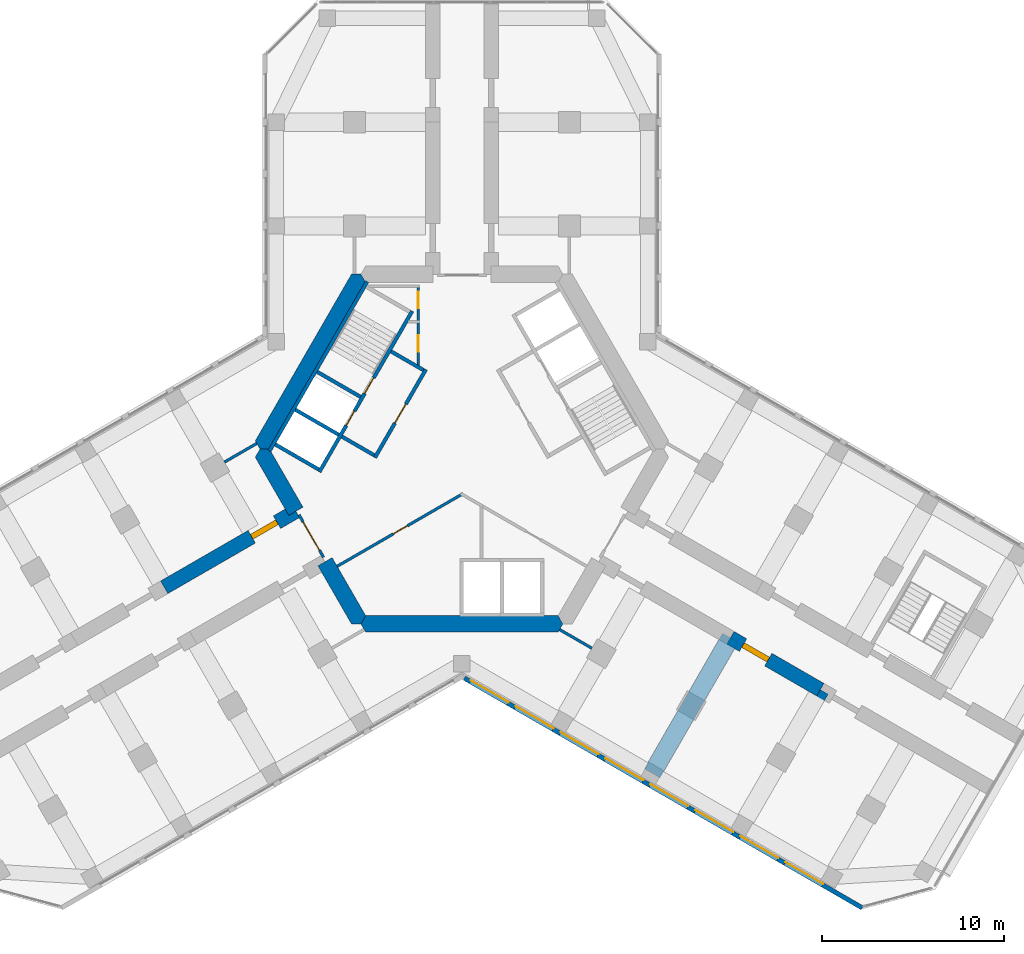
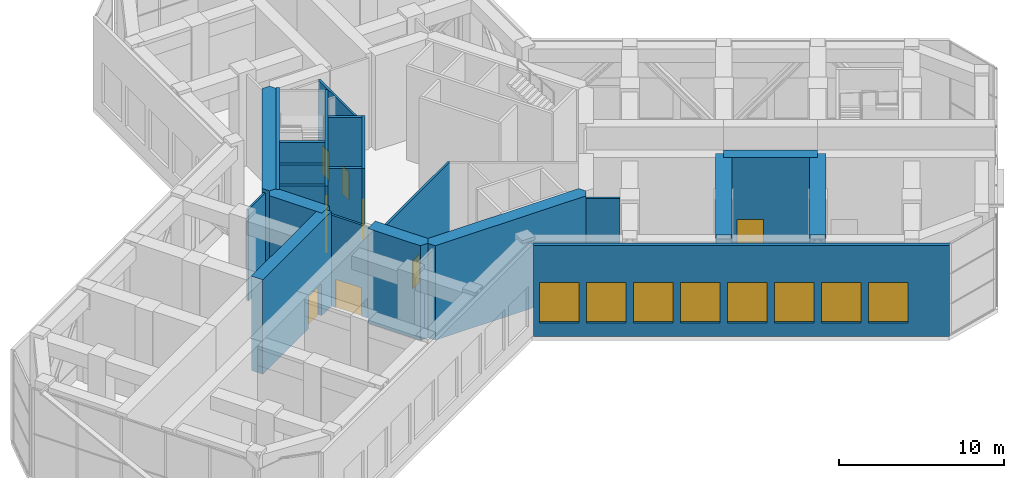
# One storey, part 11 of 15: 22 walls, 9 doors, 8 windows, 17 openings.
"""IFC4 building model written with IfcOpenShell, lengths in metres."""

from ifc_helpers import new_model, si_unit, direction, frame, frame_2d, origin, place, context, subcontext, project, spatial, polyline, rectangle, outline, extrude, material, layer, layer_set, type_object, element, fill, save


model = new_model("IFC4")

# Units and contexts
model_context = context("Model", 3, precision=1e-05, world=origin(), true_north=direction((0.0, 1.0)))
body_context = subcontext(model_context, "Body", "Model", "MODEL_VIEW")
ifc_project = project(units=[si_unit("LENGTHUNIT", "METRE"), si_unit("AREAUNIT", "SQUARE_METRE"), si_unit("VOLUMEUNIT", "CUBIC_METRE"), si_unit("PLANEANGLEUNIT", "RADIAN"), si_unit("MASSUNIT", "GRAM", prefix="KILO")], contexts=[model_context])

# Site, building, storey
site_placement = place(None, origin())
site = spatial("IfcSite", under=ifc_project, at=site_placement, CompositionType="ELEMENT")
building_placement = place(site_placement, origin())
building = spatial("IfcBuilding", under=site, at=building_placement, Name="Kosmar Iwan School Tower", CompositionType="ELEMENT")
storey_placement = place(building_placement, frame((0.0, 0.0, 186.800048828125)))
storey = spatial("IfcBuildingStorey", under=building, at=storey_placement, Name="L47", CompositionType="ELEMENT", Elevation=186.800048828125)

# Wall, openings, doors
ifc_material_1 = material(Name="Gypsum board on steel studs, fire-rated", Category="steel")
ifc_layer_1 = layer(ifc_material_1, 0.14990234375)
ifc_layer_set_1 = layer_set([ifc_layer_1], Name="Core room partition 150")
wall_type_1 = type_object("IfcWallType", Name="Core room partition 150", PredefinedType="PARTITIONING", material=ifc_layer_set_1)
wall_1_placement = place(storey_placement, frame((-2.39990234375, 9.014892578125, 0.0), z_axis=(0.0, 0.0, 1.0), x_axis=(0.0, -1.0, 0.0)))
wall_1 = element("IfcWall", 1, at=wall_1_placement, inside=storey, type_object=wall_type_1, Name="Core room partition L47-CW1", PredefinedType="PARTITIONING", context=body_context, shape_type="SweptSolid", body=[
    extrude(rectangle(XDim=4.484130859375, YDim=0.14990234375, at=frame_2d((2.2421875, 0.0))), origin(), (0.0, 0.0, 1.0), 6.75),
])
opening_1_placement = place(wall_1_placement, frame((0.375, 0.0, 0.0)))
opening_1 = element("IfcOpeningElement", 2, at=opening_1_placement, cuts=wall_1, Name="Opening D14", PredefinedType="OPENING", context=body_context, shape_type="SweptSolid", body=[
    extrude(rectangle(XDim=0.89990234375, YDim=2.10009765625, at=frame_2d((0.449951171875, 1.050048828125))), frame((0.0, 0.0869140625, 0.0), z_axis=(0.0, -1.0, 0.0), x_axis=(1.0, 0.0, 0.0)), (0.0, 0.0, 1.0), 0.173828125),
])
opening_2_placement = place(wall_1_placement, frame((2.77490234375, 0.0, 0.0)))
opening_2 = element("IfcOpeningElement", 3, at=opening_2_placement, cuts=wall_1, Name="Opening D14", PredefinedType="OPENING", context=body_context, shape_type="SweptSolid", body=[
    extrude(rectangle(XDim=0.89990234375, YDim=2.10009765625, at=frame_2d((0.449951171875, 1.050048828125))), frame((0.0, 0.0869140625, 0.0), z_axis=(0.0, -1.0, 0.0), x_axis=(1.0, 0.0, 0.0)), (0.0, 0.0, 1.0), 0.173828125),
])
ifc_material_2 = material(Name="Timber fire door in steel frame", Category="steel")
door_type_1 = type_object("IfcDoorType", Name="Core room door 900x2100", OperationType="SINGLE_SWING_LEFT", PredefinedType="DOOR", material=ifc_material_2)
door_1_placement = place(opening_1_placement, origin())
door_1 = element("IfcDoor", 4, at=door_1_placement, inside=storey, type_object=door_type_1, Name="Electrical riser and switch room door L47 1", OperationType="SINGLE_SWING_LEFT", OverallHeight=2.10009765625, OverallWidth=0.89990234375, PredefinedType="DOOR", context=body_context, shape_type="SweptSolid", body=[
    extrude(rectangle(XDim=0.89990234375, YDim=2.10009765625, at=frame_2d((0.449951171875, 1.050048828125))), frame((0.0, 0.02490234375, 0.0), z_axis=(0.0, -1.0, 0.0), x_axis=(1.0, 0.0, 0.0)), (0.0, 0.0, 1.0), 0.050048828125),
])
fill(opening_1, door_1)
door_2_placement = place(opening_2_placement, origin())
door_2 = element("IfcDoor", 5, at=door_2_placement, inside=storey, type_object=door_type_1, Name="Plumbing and wet riser door L47 2", OperationType="SINGLE_SWING_RIGHT", OverallHeight=2.10009765625, OverallWidth=0.89990234375, PredefinedType="DOOR", context=body_context, shape_type="SweptSolid", body=[
    extrude(rectangle(XDim=0.89990234375, YDim=2.10009765625, at=frame_2d((0.449951171875, 1.050048828125))), frame((0.0, 0.02490234375, 0.0), z_axis=(0.0, -1.0, 0.0), x_axis=(1.0, 0.0, 0.0)), (0.0, 0.0, 1.0), 0.050048828125),
])
fill(opening_2, door_2)

# Wall, opening, door
wall_2_placement = place(storey_placement, frame((-6.853515625, -6.439453125, 0.0), z_axis=(0.0, 0.0, 1.0), x_axis=(0.866024767646, 0.500001101823, 0.0)))
wall_2 = element("IfcWall", 6, at=wall_2_placement, inside=storey, type_object=wall_type_1, Name="Core room partition L47-CW7", PredefinedType="PARTITIONING", context=body_context, shape_type="SweptSolid", body=[
    extrude(rectangle(XDim=7.98876953125, YDim=0.14990234375, at=frame_2d((3.994384765625, 0.0))), origin(), (0.0, 0.0, 1.0), 6.75),
])
opening_3_placement = place(wall_2_placement, frame((3.56396484375, 0.0, 0.0)))
opening_3 = element("IfcOpeningElement", 7, at=opening_3_placement, cuts=wall_2, Name="Opening D14", PredefinedType="OPENING", context=body_context, shape_type="SweptSolid", body=[
    extrude(rectangle(XDim=0.89990234375, YDim=2.10009765625, at=frame_2d((0.449951171875, 1.050048828125))), frame((0.0, 0.0869140625, 0.0), z_axis=(0.0, -1.0, 0.0), x_axis=(1.0, 0.0, 0.0)), (0.0, 0.0, 1.0), 0.173828125),
])
door_3_placement = place(opening_3_placement, origin())
door_3 = element("IfcDoor", 8, at=door_3_placement, inside=storey, type_object=door_type_1, Name="Maintenance workshop door L47 4", OperationType="SINGLE_SWING_RIGHT", OverallHeight=2.10009765625, OverallWidth=0.89990234375, PredefinedType="DOOR", context=body_context, shape_type="SweptSolid", body=[
    extrude(rectangle(XDim=0.89990234375, YDim=2.10009765625, at=frame_2d((0.449951171875, 1.050048828125))), frame((0.0, 0.02490234375, 0.0), z_axis=(0.0, -1.0, 0.0), x_axis=(1.0, 0.0, 0.0)), (0.0, 0.0, 1.0), 0.050048828125),
])
fill(opening_3, door_3)

# Walls
ifc_material_3 = material(Name="Concrete C50/60", Category="concrete")
ifc_layer_2 = layer(ifc_material_3, 0.89990234375)
ifc_layer_set_2 = layer_set([ifc_layer_2], Name="Core wall 900")
wall_type_2 = type_object("IfcWallType", Name="Core wall 900", PredefinedType="SHEAR", material=ifc_layer_set_2)
wall_3_placement = place(storey_placement, origin())
element("IfcWall", 9, at=wall_3_placement, inside=storey, type_object=wall_type_2, Name="Core wall F150", PredefinedType="SHEAR", context=body_context, shape_type="SweptSolid", body=[
    extrude(outline(polyline([(-11.085205078125, 0.0), (-10.5654296875, 0.0), (-5.28271484375, 9.14990234375), (-5.54248046875, 9.60009765625), (-6.062255859375, 9.60009765625), (-11.344970703125, 0.449951171875), (-11.085205078125, 0.0)])), origin(), (0.0, 0.0, 1.0), 7.0),
])
wall_4_placement = place(storey_placement, origin())
element("IfcWall", 10, at=wall_4_placement, inside=storey, type_object=wall_type_2, Name="Core wall F210a", PredefinedType="SHEAR", context=body_context, shape_type="SweptSolid", body=[
    extrude(outline(polyline([(-9.503662109375, -3.639404296875), (-8.72412109375, -3.189453125), (-10.5654296875, 0.0), (-11.085205078125, 0.0), (-11.344970703125, -0.449951171875), (-9.503662109375, -3.639404296875)])), origin(), (0.0, 0.0, 1.0), 7.0),
])
wall_5_placement = place(storey_placement, origin())
element("IfcWall", 11, at=wall_5_placement, inside=storey, type_object=wall_type_2, Name="Core wall F210b", PredefinedType="SHEAR", context=body_context, shape_type="SweptSolid", body=[
    extrude(outline(polyline([(-6.062255859375, -9.60009765625), (-5.54248046875, -9.60009765625), (-5.28271484375, -9.14990234375), (-7.1240234375, -5.960693359375), (-7.903564453125, -6.41064453125), (-6.062255859375, -9.60009765625)])), origin(), (0.0, 0.0, 1.0), 7.0),
])
wall_6_placement = place(storey_placement, origin())
element("IfcWall", 12, at=wall_6_placement, inside=storey, type_object=wall_type_2, Name="Core wall F270", PredefinedType="SHEAR", context=body_context, shape_type="SweptSolid", body=[
    extrude(outline(polyline([(-5.28271484375, -10.050048828125), (5.28271484375, -10.050048828125), (5.54248046875, -9.60009765625), (5.28271484375, -9.14990234375), (-5.28271484375, -9.14990234375), (-5.54248046875, -9.60009765625), (-5.28271484375, -10.050048828125)])), origin(), (0.0, 0.0, 1.0), 7.0),
])

# Wall, opening, door
ifc_material_4 = material(Name="Concrete C50/60", Category="concrete")
ifc_layer_3 = layer(ifc_material_4, 0.800048828125)
ifc_layer_set_3 = layer_set([ifc_layer_3], Name="Corridor buttress wall 800")
wall_type_3 = type_object("IfcWallType", Name="Corridor buttress wall 800", PredefinedType="SHEAR", material=ifc_layer_set_3)
wall_7_placement = place(storey_placement, frame((-9.11376953125, -3.414306640625, 0.0), z_axis=(0.0, 0.0, 1.0), x_axis=(-0.866026859388, -0.499997478812, 0.0)))
wall_7 = element("IfcWall", 13, at=wall_7_placement, inside=storey, type_object=wall_type_3, Name="Corridor wall BR", PredefinedType="SHEAR", context=body_context, shape_type="SweptSolid", body=[
    extrude(rectangle(XDim=8.35009765625, YDim=0.800048828125, at=frame_2d((4.175048828125, 0.0))), origin(), (0.0, 0.0, 1.0), 7.0),
])
opening_4_placement = place(wall_7_placement, frame((1.199951171875, 0.0, 0.0)))
opening_4 = element("IfcOpeningElement", 14, at=opening_4_placement, cuts=wall_7, Name="Opening D5", PredefinedType="OPENING", context=body_context, shape_type="SweptSolid", body=[
    extrude(rectangle(XDim=1.60009765625, YDim=2.39990234375, at=frame_2d((0.800048828125, 1.199951171875))), frame((0.0, 0.412109375, 0.0), z_axis=(0.0, -1.0, 0.0), x_axis=(1.0, 0.0, 0.0)), (0.0, 0.0, 1.0), 0.823974609375),
])
ifc_material_5 = material(Name="Steel fire door", Category="steel")
door_type_2 = type_object("IfcDoorType", Name="Plant room door pair 1600x2400", OperationType="DOUBLE_DOOR_SINGLE_SWING", PredefinedType="DOOR", material=ifc_material_5)
door_4_placement = place(opening_4_placement, origin())
door_4 = element("IfcDoor", 15, at=door_4_placement, inside=storey, type_object=door_type_2, Name="Refuge area door L47-BR1", OperationType="DOUBLE_DOOR_SINGLE_SWING", OverallHeight=2.39990234375, OverallWidth=1.60009765625, PredefinedType="DOOR", context=body_context, shape_type="SweptSolid", body=[
    extrude(rectangle(XDim=1.60009765625, YDim=2.39990234375, at=frame_2d((0.800048828125, 1.199951171875))), frame((0.0, 0.14990234375, 0.0), z_axis=(0.0, -1.0, 0.0), x_axis=(1.0, 0.0, 0.0)), (0.0, 0.0, 1.0), 0.300048828125),
])
fill(opening_4, door_4)

wall_8_placement = place(storey_placement, frame((14.7451171875, -10.360595703125, 0.0), z_axis=(0.0, 0.0, 1.0), x_axis=(0.866015111908, -0.50001782563, 0.0)))
wall_8 = element("IfcWall", 16, at=wall_8_placement, inside=storey, type_object=wall_type_3, Name="Corridor wall CR bay 2", PredefinedType="SHEAR", context=body_context, shape_type="SweptSolid", body=[
    extrude(rectangle(XDim=5.699951171875, YDim=0.800048828125, at=frame_2d((2.85009765625, 0.0))), origin(), (0.0, 0.0, 1.0), 7.0),
])
opening_5_placement = place(wall_8_placement, frame((0.800048828125, 0.0, 0.0)))
opening_5 = element("IfcOpeningElement", 17, at=opening_5_placement, cuts=wall_8, Name="Opening D5", PredefinedType="OPENING", context=body_context, shape_type="SweptSolid", body=[
    extrude(rectangle(XDim=1.60009765625, YDim=2.39990234375, at=frame_2d((0.800048828125, 1.199951171875))), frame((0.0, 0.412109375, 0.0), z_axis=(0.0, -1.0, 0.0), x_axis=(1.0, 0.0, 0.0)), (0.0, 0.0, 1.0), 0.823974609375),
])
door_5_placement = place(opening_5_placement, origin())
door_5 = element("IfcDoor", 18, at=door_5_placement, inside=storey, type_object=door_type_2, Name="Air handling plant room door L47-CR2", OperationType="DOUBLE_DOOR_SINGLE_SWING", OverallHeight=2.39990234375, OverallWidth=1.60009765625, PredefinedType="DOOR", context=body_context, shape_type="SweptSolid", body=[
    extrude(rectangle(XDim=1.60009765625, YDim=2.39990234375, at=frame_2d((0.800048828125, 1.199951171875))), frame((0.0, 0.14990234375, 0.0), z_axis=(0.0, -1.0, 0.0), x_axis=(1.0, 0.0, 0.0)), (0.0, 0.0, 1.0), 0.300048828125),
])
fill(opening_5, door_5)

ifc_material_6 = material(Name="Steel framed glazed screen", Category="steel")
ifc_layer_4 = layer(ifc_material_6, 0.14990234375)
ifc_layer_set_4 = layer_set([ifc_layer_4], Name="Corridor screen wall 150")
wall_type_4 = type_object("IfcWallType", Name="Corridor screen wall 150", PredefinedType="PARTITIONING", material=ifc_layer_set_4)
wall_9_placement = place(storey_placement, frame((-8.945556640625, -3.60595703125, 0.0), z_axis=(0.0, 0.0, 1.0), x_axis=(0.500048589285, -0.86599734893, 0.0)))
wall_9 = element("IfcWall", 19, at=wall_9_placement, inside=storey, type_object=wall_type_4, Name="Corridor screen B L47", PredefinedType="PARTITIONING", context=body_context, shape_type="SweptSolid", body=[
    extrude(rectangle(XDim=2.699951171875, YDim=0.14990234375, at=frame_2d((1.35009765625, 0.0))), origin(), (0.0, 0.0, 1.0), 6.75),
])
opening_6_placement = place(wall_9_placement, frame((0.449951171875, 0.0, 0.0)))
opening_6 = element("IfcOpeningElement", 20, at=opening_6_placement, cuts=wall_9, Name="Opening D9", PredefinedType="OPENING", context=body_context, shape_type="SweptSolid", body=[
    extrude(rectangle(XDim=1.800048828125, YDim=2.10009765625, at=frame_2d((0.89990234375, 1.050048828125))), frame((0.0, 0.0869140625, 0.0), z_axis=(0.0, -1.0, 0.0), x_axis=(1.0, 0.0, 0.0)), (0.0, 0.0, 1.0), 0.173828125),
])
ifc_material_7 = material(Name="Steel framed glazed smoke door", Category="steel")
door_type_3 = type_object("IfcDoorType", Name="Corridor smoke door pair 1800x2100", OperationType="DOUBLE_DOOR_DOUBLE_SWING", PredefinedType="DOOR", material=ifc_material_7)
door_6_placement = place(opening_6_placement, origin())
door_6 = element("IfcDoor", 21, at=door_6_placement, inside=storey, type_object=door_type_3, Name="Corridor doors B L47", OperationType="DOUBLE_DOOR_DOUBLE_SWING", OverallHeight=2.10009765625, OverallWidth=1.800048828125, PredefinedType="DOOR", context=body_context, shape_type="SweptSolid", body=[
    extrude(rectangle(XDim=1.800048828125, YDim=2.10009765625, at=frame_2d((0.89990234375, 1.050048828125))), frame((0.0, 0.02490234375, 0.0), z_axis=(0.0, -1.0, 0.0), x_axis=(1.0, 0.0, 0.0)), (0.0, 0.0, 1.0), 0.050048828125),
])
fill(opening_6, door_6)

# Wall, openings, windows
ifc_material_8 = material(Name="Black aluminium rainscreen on insulated framing", Category="aluminium")
ifc_layer_5 = layer(ifc_material_8, 0.25)
ifc_layer_set_5 = layer_set([ifc_layer_5], Name="External wall rainscreen 250")
wall_type_5 = type_object("IfcWallType", Name="External wall rainscreen 250", PredefinedType="SOLIDWALL", material=ifc_layer_set_5)
wall_10_placement = place(storey_placement, frame((0.137939453125, -12.5791015625, 0.0), z_axis=(0.0, 0.0, 1.0), x_axis=(0.866023775649, -0.500002820003, 0.0)))
wall_10 = element("IfcWall", 22, at=wall_10_placement, inside=storey, type_object=wall_type_5, Name="External wall CR L47", PredefinedType="SOLIDWALL", context=body_context, shape_type="SweptSolid", body=[
    extrude(rectangle(XDim=25.226318359375, YDim=0.25, at=frame_2d((12.61328125, 0.0))), origin(), (0.0, 0.0, 1.0), 6.75),
])
opening_7_placement = place(wall_10_placement, frame((0.365966796875, 0.0, 1.0)))
opening_7 = element("IfcOpeningElement", 23, at=opening_7_placement, cuts=wall_10, Name="Opening LV1", PredefinedType="OPENING", context=body_context, shape_type="SweptSolid", body=[
    extrude(rectangle(XDim=2.39990234375, YDim=3.0, at=frame_2d((1.199951171875, 1.5))), frame((0.0, 0.136962890625, 0.0), z_axis=(0.0, -1.0, 0.0), x_axis=(1.0, 0.0, 0.0)), (0.0, 0.0, 1.0), 0.27392578125),
])
opening_8_placement = place(wall_10_placement, frame((3.216064453125, 0.0, 1.0)))
opening_8 = element("IfcOpeningElement", 24, at=opening_8_placement, cuts=wall_10, Name="Opening LV1", PredefinedType="OPENING", context=body_context, shape_type="SweptSolid", body=[
    extrude(rectangle(XDim=2.39990234375, YDim=3.0, at=frame_2d((1.199951171875, 1.5))), frame((0.0, 0.136962890625, 0.0), z_axis=(0.0, -1.0, 0.0), x_axis=(1.0, 0.0, 0.0)), (0.0, 0.0, 1.0), 0.27392578125),
])
opening_9_placement = place(wall_10_placement, frame((6.06591796875, 0.0, 1.0)))
opening_9 = element("IfcOpeningElement", 25, at=opening_9_placement, cuts=wall_10, Name="Opening LV1", PredefinedType="OPENING", context=body_context, shape_type="SweptSolid", body=[
    extrude(rectangle(XDim=2.39990234375, YDim=3.0, at=frame_2d((1.199951171875, 1.5))), frame((0.0, 0.136962890625, 0.0), z_axis=(0.0, -1.0, 0.0), x_axis=(1.0, 0.0, 0.0)), (0.0, 0.0, 1.0), 0.27392578125),
])
opening_10_placement = place(wall_10_placement, frame((8.916015625, 0.0, 1.0)))
opening_10 = element("IfcOpeningElement", 26, at=opening_10_placement, cuts=wall_10, Name="Opening LV1", PredefinedType="OPENING", context=body_context, shape_type="SweptSolid", body=[
    extrude(rectangle(XDim=2.39990234375, YDim=3.0, at=frame_2d((1.199951171875, 1.5))), frame((0.0, 0.136962890625, 0.0), z_axis=(0.0, -1.0, 0.0), x_axis=(1.0, 0.0, 0.0)), (0.0, 0.0, 1.0), 0.27392578125),
])
opening_11_placement = place(wall_10_placement, frame((11.76611328125, 0.0, 1.0)))
opening_11 = element("IfcOpeningElement", 27, at=opening_11_placement, cuts=wall_10, Name="Opening LV1", PredefinedType="OPENING", context=body_context, shape_type="SweptSolid", body=[
    extrude(rectangle(XDim=2.39990234375, YDim=3.0, at=frame_2d((1.199951171875, 1.5))), frame((0.0, 0.136962890625, 0.0), z_axis=(0.0, -1.0, 0.0), x_axis=(1.0, 0.0, 0.0)), (0.0, 0.0, 1.0), 0.27392578125),
])
opening_12_placement = place(wall_10_placement, frame((14.615966796875, 0.0, 1.0)))
opening_12 = element("IfcOpeningElement", 28, at=opening_12_placement, cuts=wall_10, Name="Opening LV1", PredefinedType="OPENING", context=body_context, shape_type="SweptSolid", body=[
    extrude(rectangle(XDim=2.39990234375, YDim=3.0, at=frame_2d((1.199951171875, 1.5))), frame((0.0, 0.136962890625, 0.0), z_axis=(0.0, -1.0, 0.0), x_axis=(1.0, 0.0, 0.0)), (0.0, 0.0, 1.0), 0.27392578125),
])
opening_13_placement = place(wall_10_placement, frame((17.466064453125, 0.0, 1.0)))
opening_13 = element("IfcOpeningElement", 29, at=opening_13_placement, cuts=wall_10, Name="Opening LV1", PredefinedType="OPENING", context=body_context, shape_type="SweptSolid", body=[
    extrude(rectangle(XDim=2.39990234375, YDim=3.0, at=frame_2d((1.199951171875, 1.5))), frame((0.0, 0.136962890625, 0.0), z_axis=(0.0, -1.0, 0.0), x_axis=(1.0, 0.0, 0.0)), (0.0, 0.0, 1.0), 0.27392578125),
])
opening_14_placement = place(wall_10_placement, frame((20.31591796875, 0.0, 1.0)))
opening_14 = element("IfcOpeningElement", 30, at=opening_14_placement, cuts=wall_10, Name="Opening LV1", PredefinedType="OPENING", context=body_context, shape_type="SweptSolid", body=[
    extrude(rectangle(XDim=2.39990234375, YDim=3.0, at=frame_2d((1.199951171875, 1.5))), frame((0.0, 0.136962890625, 0.0), z_axis=(0.0, -1.0, 0.0), x_axis=(1.0, 0.0, 0.0)), (0.0, 0.0, 1.0), 0.27392578125),
])
ifc_material_9 = material(Name="Black aluminium louvre", Category="aluminium")
window_type = type_object("IfcWindowType", Name="Plant louvre 2400x3000", PartitioningType="SINGLE_PANEL", PredefinedType="USERDEFINED", material=ifc_material_9)
window_1_placement = place(opening_7_placement, origin())
window_1 = element("IfcWindow", 31, at=window_1_placement, inside=storey, type_object=window_type, Name="Window CR L47 -1", ObjectType="LOUVRE", OverallHeight=3.0, OverallWidth=2.39990234375, PartitioningType="SINGLE_PANEL", PredefinedType="USERDEFINED", context=body_context, shape_type="SweptSolid", body=[
    extrude(rectangle(XDim=2.39990234375, YDim=3.0, at=frame_2d((1.199951171875, 1.5))), frame((0.0, 0.070068359375, 0.0), z_axis=(0.0, -1.0, 0.0), x_axis=(1.0, 0.0, 0.0)), (0.0, 0.0, 1.0), 0.02001953125),
])
fill(opening_7, window_1)
window_2_placement = place(opening_8_placement, origin())
window_2 = element("IfcWindow", 32, at=window_2_placement, inside=storey, type_object=window_type, Name="Window CR L47 0", ObjectType="LOUVRE", OverallHeight=3.0, OverallWidth=2.39990234375, PartitioningType="SINGLE_PANEL", PredefinedType="USERDEFINED", context=body_context, shape_type="SweptSolid", body=[
    extrude(rectangle(XDim=2.39990234375, YDim=3.0, at=frame_2d((1.199951171875, 1.5))), frame((0.0, 0.070068359375, 0.0), z_axis=(0.0, -1.0, 0.0), x_axis=(1.0, 0.0, 0.0)), (0.0, 0.0, 1.0), 0.02001953125),
])
fill(opening_8, window_2)
window_3_placement = place(opening_9_placement, origin())
window_3 = element("IfcWindow", 33, at=window_3_placement, inside=storey, type_object=window_type, Name="Window CR L47 1", ObjectType="LOUVRE", OverallHeight=3.0, OverallWidth=2.39990234375, PartitioningType="SINGLE_PANEL", PredefinedType="USERDEFINED", context=body_context, shape_type="SweptSolid", body=[
    extrude(rectangle(XDim=2.39990234375, YDim=3.0, at=frame_2d((1.199951171875, 1.5))), frame((0.0, 0.070068359375, 0.0), z_axis=(0.0, -1.0, 0.0), x_axis=(1.0, 0.0, 0.0)), (0.0, 0.0, 1.0), 0.02001953125),
])
fill(opening_9, window_3)
window_4_placement = place(opening_10_placement, origin())
window_4 = element("IfcWindow", 34, at=window_4_placement, inside=storey, type_object=window_type, Name="Window CR L47 2", ObjectType="LOUVRE", OverallHeight=3.0, OverallWidth=2.39990234375, PartitioningType="SINGLE_PANEL", PredefinedType="USERDEFINED", context=body_context, shape_type="SweptSolid", body=[
    extrude(rectangle(XDim=2.39990234375, YDim=3.0, at=frame_2d((1.199951171875, 1.5))), frame((0.0, 0.070068359375, 0.0), z_axis=(0.0, -1.0, 0.0), x_axis=(1.0, 0.0, 0.0)), (0.0, 0.0, 1.0), 0.02001953125),
])
fill(opening_10, window_4)
window_5_placement = place(opening_11_placement, origin())
window_5 = element("IfcWindow", 35, at=window_5_placement, inside=storey, type_object=window_type, Name="Window CR L47 3", ObjectType="LOUVRE", OverallHeight=3.0, OverallWidth=2.39990234375, PartitioningType="SINGLE_PANEL", PredefinedType="USERDEFINED", context=body_context, shape_type="SweptSolid", body=[
    extrude(rectangle(XDim=2.39990234375, YDim=3.0, at=frame_2d((1.199951171875, 1.5))), frame((0.0, 0.070068359375, 0.0), z_axis=(0.0, -1.0, 0.0), x_axis=(1.0, 0.0, 0.0)), (0.0, 0.0, 1.0), 0.02001953125),
])
fill(opening_11, window_5)
window_6_placement = place(opening_12_placement, origin())
window_6 = element("IfcWindow", 36, at=window_6_placement, inside=storey, type_object=window_type, Name="Window CR L47 4", ObjectType="LOUVRE", OverallHeight=3.0, OverallWidth=2.39990234375, PartitioningType="SINGLE_PANEL", PredefinedType="USERDEFINED", context=body_context, shape_type="SweptSolid", body=[
    extrude(rectangle(XDim=2.39990234375, YDim=3.0, at=frame_2d((1.199951171875, 1.5))), frame((0.0, 0.070068359375, 0.0), z_axis=(0.0, -1.0, 0.0), x_axis=(1.0, 0.0, 0.0)), (0.0, 0.0, 1.0), 0.02001953125),
])
fill(opening_12, window_6)
window_7_placement = place(opening_13_placement, origin())
window_7 = element("IfcWindow", 37, at=window_7_placement, inside=storey, type_object=window_type, Name="Window CR L47 5", ObjectType="LOUVRE", OverallHeight=3.0, OverallWidth=2.39990234375, PartitioningType="SINGLE_PANEL", PredefinedType="USERDEFINED", context=body_context, shape_type="SweptSolid", body=[
    extrude(rectangle(XDim=2.39990234375, YDim=3.0, at=frame_2d((1.199951171875, 1.5))), frame((0.0, 0.070068359375, 0.0), z_axis=(0.0, -1.0, 0.0), x_axis=(1.0, 0.0, 0.0)), (0.0, 0.0, 1.0), 0.02001953125),
])
fill(opening_13, window_7)
window_8_placement = place(opening_14_placement, origin())
window_8 = element("IfcWindow", 38, at=window_8_placement, inside=storey, type_object=window_type, Name="Window CR L47 6", ObjectType="LOUVRE", OverallHeight=3.0, OverallWidth=2.39990234375, PartitioningType="SINGLE_PANEL", PredefinedType="USERDEFINED", context=body_context, shape_type="SweptSolid", body=[
    extrude(rectangle(XDim=2.39990234375, YDim=3.0, at=frame_2d((1.199951171875, 1.5))), frame((0.0, 0.070068359375, 0.0), z_axis=(0.0, -1.0, 0.0), x_axis=(1.0, 0.0, 0.0)), (0.0, 0.0, 1.0), 0.02001953125),
])
fill(opening_14, window_8)

# Wall, opening, door
ifc_material_10 = material(Name="Concrete block masonry", Category="masonry")
ifc_layer_6 = layer(ifc_material_10, 0.199951171875)
ifc_layer_set_6 = layer_set([ifc_layer_6], Name="Fire lobby wall 200")
wall_type_6 = type_object("IfcWallType", Name="Fire lobby wall 200", PredefinedType="PARTITIONING", material=ifc_layer_set_6)
wall_11_placement = place(storey_placement, frame((-1.9775390625, 4.374755859375, 0.0), z_axis=(0.0, 0.0, 1.0), x_axis=(-0.500016814911, -0.866015695474, 0.0)))
wall_11 = element("IfcWall", 39, at=wall_11_placement, inside=storey, type_object=wall_type_6, Name="Firefighting lobby wall ST2", PredefinedType="PARTITIONING", context=body_context, shape_type="SweptSolid", body=[
    extrude(rectangle(XDim=5.599853515625, YDim=0.199951171875, at=frame_2d((2.7998046875, 0.0))), origin(), (0.0, 0.0, 1.0), 6.75),
])
opening_15_placement = place(wall_11_placement, frame((2.199951171875, 0.0, 0.0)))
opening_15 = element("IfcOpeningElement", 40, at=opening_15_placement, cuts=wall_11, Name="Opening D7", PredefinedType="OPENING", context=body_context, shape_type="SweptSolid", body=[
    extrude(rectangle(XDim=1.199951171875, YDim=2.10009765625, at=frame_2d((0.60009765625, 1.050048828125))), frame((0.0, 0.112060546875, 0.0), z_axis=(0.0, -1.0, 0.0), x_axis=(1.0, 0.0, 0.0)), (0.0, 0.0, 1.0), 0.223876953125),
])
ifc_material_11 = material(Name="Steel fire door", Category="steel")
door_type_4 = type_object("IfcDoorType", Name="Fire lobby door 1200x2100", OperationType="SINGLE_SWING_LEFT", PredefinedType="DOOR", material=ifc_material_11)
door_7_placement = place(opening_15_placement, origin())
door_7 = element("IfcDoor", 41, at=door_7_placement, inside=storey, type_object=door_type_4, Name="Firefighting lobby door ST2 L47", OperationType="SINGLE_SWING_LEFT", OverallHeight=2.10009765625, OverallWidth=1.199951171875, PredefinedType="DOOR", context=body_context, shape_type="SweptSolid", body=[
    extrude(rectangle(XDim=1.199951171875, YDim=2.10009765625, at=frame_2d((0.60009765625, 1.050048828125))), frame((0.0, 0.02490234375, 0.0), z_axis=(0.0, -1.0, 0.0), x_axis=(1.0, 0.0, 0.0)), (0.0, 0.0, 1.0), 0.050048828125),
])
fill(opening_15, door_7)

# Walls
wall_12_placement = place(storey_placement, frame((-2.114013671875, 4.33837890625, 0.0), z_axis=(0.0, 0.0, 1.0), x_axis=(-0.866050731258, 0.499956128963, 0.0)))
element("IfcWall", 42, at=wall_12_placement, inside=storey, type_object=wall_type_6, Name="Firefighting lobby wall ST2", PredefinedType="PARTITIONING", context=body_context, shape_type="SweptSolid", body=[
    extrude(rectangle(XDim=2.050048828125, YDim=0.199951171875, at=frame_2d((1.02490234375, 0.0))), origin(), (0.0, 0.0, 1.0), 6.75),
])
wall_13_placement = place(storey_placement, frame((-4.814208984375, -0.33837890625, 0.0), z_axis=(0.0, 0.0, 1.0), x_axis=(-0.865969381856, 0.500097020274, 0.0)))
element("IfcWall", 43, at=wall_13_placement, inside=storey, type_object=wall_type_6, Name="Firefighting lobby wall ST2", PredefinedType="PARTITIONING", context=body_context, shape_type="SweptSolid", body=[
    extrude(rectangle(XDim=2.0498046875, YDim=0.199951171875, at=frame_2d((1.02490234375, 0.0))), origin(), (0.0, 0.0, 1.0), 6.75),
])

# Wall, openings, doors
ifc_material_12 = material(Name="Concrete C50/60", Category="concrete")
ifc_layer_7 = layer(ifc_material_12, 0.199951171875)
ifc_layer_set_7 = layer_set([ifc_layer_7], Name="Lift shaft wall 200")
wall_type_7 = type_object("IfcWallType", Name="Lift shaft wall 200", PredefinedType="SHEAR", material=ifc_layer_set_7)
wall_14_placement = place(storey_placement, frame((-2.72607421875, 7.578369140625, 0.0), z_axis=(0.0, 0.0, 1.0), x_axis=(-0.500005610874, -0.86602216432, 0.0)))
wall_14 = element("IfcWall", 44, at=wall_14_placement, inside=storey, type_object=wall_type_7, Name="Lift and stair front wall AB", PredefinedType="SHEAR", context=body_context, shape_type="SweptSolid", body=[
    extrude(rectangle(XDim=10.2001953125, YDim=0.199951171875, at=frame_2d((5.10009765625, 0.0))), origin(), (0.0, 0.0, 1.0), 7.0),
])
opening_16_placement = place(wall_14_placement, frame((6.35009765625, 0.0, 0.0)))
opening_16 = element("IfcOpeningElement", 45, at=opening_16_placement, cuts=wall_14, Name="Opening LD2", PredefinedType="OPENING", context=body_context, shape_type="SweptSolid", body=[
    extrude(rectangle(XDim=0.89990234375, YDim=2.10009765625, at=frame_2d((0.449951171875, 1.050048828125))), frame((0.0, 0.112060546875, 0.0), z_axis=(0.0, -1.0, 0.0), x_axis=(1.0, 0.0, 0.0)), (0.0, 0.0, 1.0), 0.223876953125),
])
opening_17_placement = place(wall_14_placement, frame((4.22998046875, 0.0, 0.0)))
opening_17 = element("IfcOpeningElement", 46, at=opening_17_placement, cuts=wall_14, Name="Opening D6", PredefinedType="OPENING", context=body_context, shape_type="SweptSolid", body=[
    extrude(rectangle(XDim=1.0, YDim=2.10009765625, at=frame_2d((0.5, 1.050048828125))), frame((0.0, 0.112060546875, 0.0), z_axis=(0.0, -1.0, 0.0), x_axis=(1.0, 0.0, 0.0)), (0.0, 0.0, 1.0), 0.223876953125),
])
ifc_material_13 = material(Name="Stainless steel sliding lift door", Category="steel")
door_type_5 = type_object("IfcDoorType", Name="Firefighting lift landing door 900x2100", OperationType="SLIDING_TO_LEFT", PredefinedType="DOOR", material=ifc_material_13)
door_8_placement = place(opening_16_placement, origin())
door_8 = element("IfcDoor", 47, at=door_8_placement, inside=storey, type_object=door_type_5, Name="Lift FF2 landing door L47", OperationType="SLIDING_TO_LEFT", OverallHeight=2.10009765625, OverallWidth=0.89990234375, PredefinedType="DOOR", context=body_context, shape_type="SweptSolid", body=[
    extrude(rectangle(XDim=0.89990234375, YDim=2.10009765625, at=frame_2d((0.449951171875, 1.050048828125))), frame((0.0, 0.02490234375, 0.0), z_axis=(0.0, -1.0, 0.0), x_axis=(1.0, 0.0, 0.0)), (0.0, 0.0, 1.0), 0.050048828125),
])
fill(opening_16, door_8)
ifc_material_14 = material(Name="Steel fire door", Category="steel")
door_type_6 = type_object("IfcDoorType", Name="Stair door 1000x2100", OperationType="SINGLE_SWING_LEFT", PredefinedType="DOOR", material=ifc_material_14)
door_9_placement = place(opening_17_placement, origin())
door_9 = element("IfcDoor", 48, at=door_9_placement, inside=storey, type_object=door_type_6, Name="Stair ST2 door L47", OperationType="SINGLE_SWING_LEFT", OverallHeight=2.10009765625, OverallWidth=1.0, PredefinedType="DOOR", context=body_context, shape_type="SweptSolid", body=[
    extrude(rectangle(XDim=1.0, YDim=2.10009765625, at=frame_2d((0.5, 1.050048828125))), frame((0.0, 0.02490234375, 0.0), z_axis=(0.0, -1.0, 0.0), x_axis=(1.0, 0.0, 0.0)), (0.0, 0.0, 1.0), 0.050048828125),
])
fill(opening_17, door_9)

# Walls
wall_15_placement = place(storey_placement, frame((-5.196044921875, 9.199951171875, 0.0), z_axis=(0.0, 0.0, 1.0), x_axis=(-0.499999935134, -0.866025441235, 0.0)))
element("IfcWall", 49, at=wall_15_placement, inside=storey, type_object=wall_type_7, Name="Lift and stair back wall AB", PredefinedType="SHEAR", context=body_context, shape_type="SweptSolid", body=[
    extrude(rectangle(XDim=10.73876953125, YDim=0.199951171875, at=frame_2d((5.369384765625, 0.0))), origin(), (0.0, 0.0, 1.0), 7.0),
])
for number, where, z_axis, x_axis, name in (
    (50, (-6.7626953125, 0.78662109375, 0.0), (0.0, 0.0, 1.0), (-0.866027397988, 0.499996545922, 0.0), "Lift shaft wall AB 1"),
    (51, (-7.862548828125, -1.118408203125, 0.0), (0.0, 0.0, 1.0), (-0.866027397988, 0.499996545922, 0.0), "Lift shaft wall AB 2"),
):
    element("IfcWall", number, at=place(storey_placement, frame(where, z_axis=z_axis, x_axis=x_axis)), inside=storey, type_object=wall_type_7, Name=name, PredefinedType="SHEAR", context=body_context, shape_type="SweptSolid", body=[
        extrude(rectangle(XDim=2.75, YDim=0.199951171875, at=frame_2d((1.375, 0.0))), origin(), (0.0, 0.0, 1.0), 7.0),
    ])
ifc_material_15 = material(Name="Concrete C50/60", Category="concrete")
ifc_layer_8 = layer(ifc_material_15, 1.0)
ifc_layer_set_8 = layer_set([ifc_layer_8], Name="Outrigger wall 1000")
wall_type_8 = type_object("IfcWallType", Name="Outrigger wall 1000", PredefinedType="SHEAR", material=ifc_layer_set_8)
for number, where, z_axis, x_axis, name in (
    (52, (14.7451171875, -10.360595703125, 0.0), (0.0, 0.0, 1.0), (-0.500007509209, -0.866021068297, 0.0), "Outrigger wall CR"),
    (53, (19.681396484375, -13.210693359375, 0.0), (0.0, 0.0, 1.0), (-0.499986217557, -0.866033360935, 0.0), "Outrigger wall CR"),
):
    element("IfcWall", number, at=place(storey_placement, frame(where, z_axis=z_axis, x_axis=x_axis)), inside=storey, type_object=wall_type_8, Name=name, PredefinedType="SHEAR", context=body_context, shape_type="SweptSolid", body=[
        extrude(rectangle(XDim=8.599853515625, YDim=1.0, at=frame_2d((4.2998046875, 0.0))), origin(), (0.0, 0.0, 1.0), 7.0),
    ])
ifc_material_16 = material(Name="Gypsum board on steel studs", Category="steel")
ifc_layer_9 = layer(ifc_material_16, 0.14990234375)
ifc_layer_set_9 = layer_set([ifc_layer_9], Name="School partition 150")
wall_type_9 = type_object("IfcWallType", Name="School partition 150", PredefinedType="PARTITIONING", material=ifc_layer_set_9)
for number, where, z_axis, x_axis, name in (
    (54, (-11.263916015625, 0.3095703125, 0.0), (0.0, 0.0, 1.0), (-0.865999163574, -0.500045446624, 0.0), "Partition L47-BR-NB"),
    (55, (5.36376953125, -9.909423828125, 0.0), (0.0, 0.0, 1.0), (0.865999163574, -0.500045446624, 0.0), "Partition L47-CR-NB"),
):
    element("IfcWall", number, at=place(storey_placement, frame(where, z_axis=z_axis, x_axis=x_axis)), inside=storey, type_object=wall_type_9, Name=name, PredefinedType="PARTITIONING", context=body_context, shape_type="SweptSolid", body=[
        extrude(rectangle(XDim=2.050048828125, YDim=0.14990234375, at=frame_2d((1.02490234375, 0.0))), origin(), (0.0, 0.0, 1.0), 6.75),
    ])
ifc_material_17 = material(Name="Concrete C50/60", Category="concrete")
ifc_layer_10 = layer(ifc_material_17, 0.199951171875)
ifc_layer_set_10 = layer_set([ifc_layer_10], Name="Stair enclosure wall 200")
wall_type_10 = type_object("IfcWallType", Name="Stair enclosure wall 200", PredefinedType="SHEAR", material=ifc_layer_set_10)
wall_16_placement = place(storey_placement, frame((-5.562744140625, 2.865234375, 0.0), z_axis=(0.0, 0.0, 1.0), x_axis=(-0.866027397988, 0.499996545922, 0.0)))
element("IfcWall", 56, at=wall_16_placement, inside=storey, type_object=wall_type_10, Name="Stair ST2 wall", PredefinedType="SHEAR", context=body_context, shape_type="SweptSolid", body=[
    extrude(rectangle(XDim=2.75, YDim=0.199951171875, at=frame_2d((1.375, 0.0))), origin(), (0.0, 0.0, 1.0), 7.0),
])

save(model, "model.ifc")
